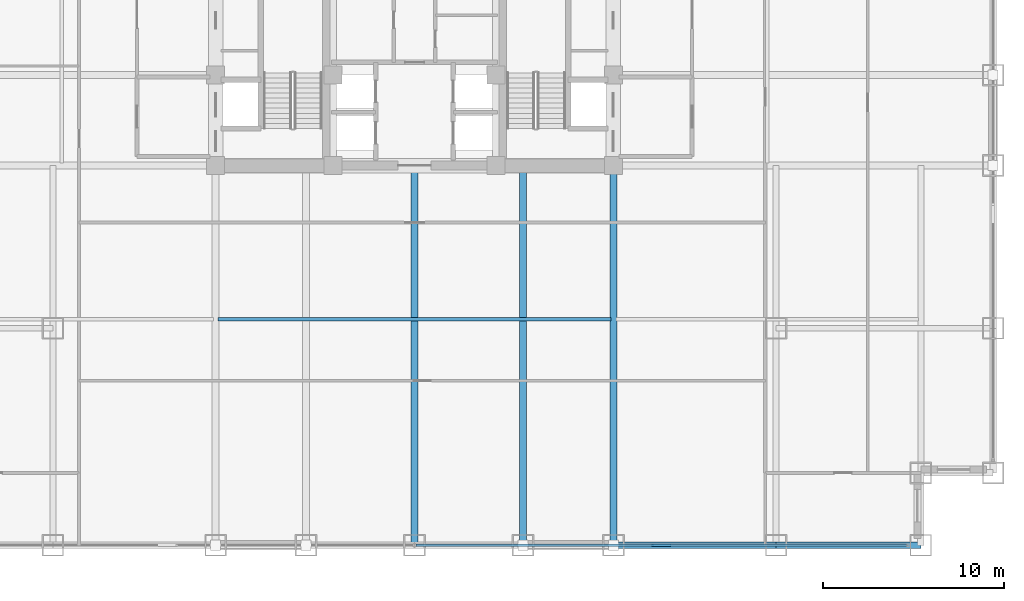
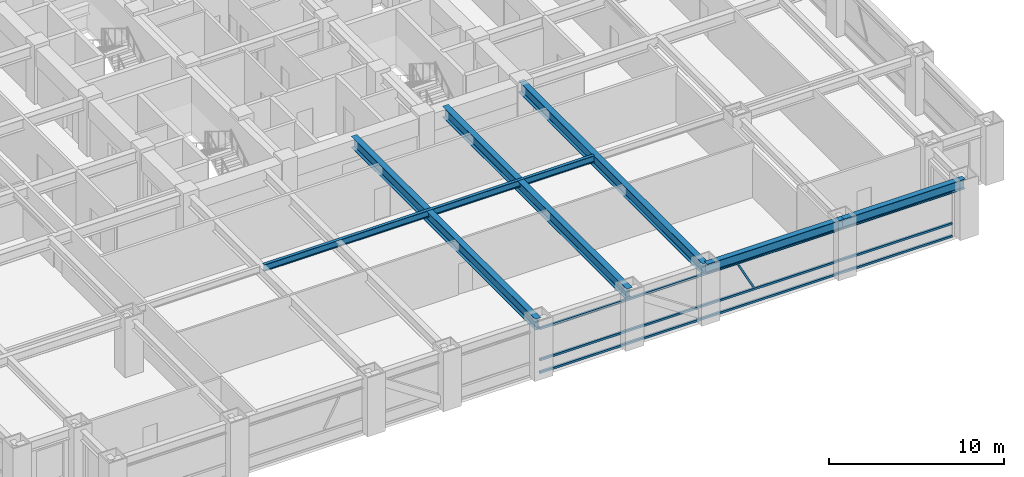
# One storey, part 5 of 28: 6 beams, 4 members, 1 element without a shape of its own.
"""IFC4 building model written with IfcOpenShell, lengths in metres."""

from ifc_helpers import new_model, si_unit, direction, frame, origin, origin_2d, place, context, subcontext, project, spatial, hollow_rectangle, i_section, extrude, source, transform, mapped, material, material_profile, profile_set, type_object, element, aggregate, save


model = new_model("IFC4")

# Units and contexts
model_context = context("Model", 3, precision=1e-05, world=origin(), true_north=direction((0.0, 1.0)))
body_context = subcontext(model_context, "Body", "Model", "MODEL_VIEW")
ifc_project = project(units=[si_unit("LENGTHUNIT", "METRE"), si_unit("AREAUNIT", "SQUARE_METRE"), si_unit("VOLUMEUNIT", "CUBIC_METRE"), si_unit("PLANEANGLEUNIT", "RADIAN"), si_unit("MASSUNIT", "GRAM", prefix="KILO")], contexts=[model_context])

# Site, building, storey
site_placement = place(None, origin())
site = spatial("IfcSite", under=ifc_project, at=site_placement, CompositionType="ELEMENT")
building_placement = place(site_placement, origin())
building = spatial("IfcBuilding", under=site, at=building_placement, Name="Khorayat Bourse Tower", CompositionType="ELEMENT")
storey_placement = place(building_placement, frame((0.0, 0.0, 120.10009765625)))
storey = spatial("IfcBuildingStorey", under=building, at=storey_placement, Name="L27", CompositionType="ELEMENT", Elevation=120.10009765625)

# Beams
ifc_material_1 = material(Name="Steel ASTM A992 Grade 50", Category="steel")
ifc_material_profile_1 = material_profile(ifc_material_1, i_section(OverallWidth=0.35498046875, OverallDepth=0.695068359375, WebThickness=0.015380859375, FlangeThickness=0.02490234375, FilletRadius=0.01806640625, at=origin_2d()), Name="W690X217")
ifc_profile_set_1 = profile_set([ifc_material_profile_1], Name="Steel ASTM A992 Grade 50")
beam_type_1 = type_object("IfcBeamType", Name="BM-SPAN-690", PredefinedType="SPANDREL", material=ifc_profile_set_1)
shared_shape_1 = source(origin(), body_context, "Body", "SweptSolid", [
    extrude(i_section(OverallWidth=0.35498046875, OverallDepth=0.695068359375, WebThickness=0.015380859375, FlangeThickness=0.02490234375, FilletRadius=0.01806640625, at=origin_2d()), origin(), (0.0, 0.0, 1.0), 9.0),
])
beam_1_placement = place(storey_placement, frame((11.0, -32.0, 3.492431640625), z_axis=(1.0, 0.0, 0.0), x_axis=(0.0, 1.0, 0.0)))
element("IfcBeam", 1, at=beam_1_placement, inside=storey, type_object=beam_type_1, Name="L27 BM-SPAN-690 BM-L27-SPN-030", PredefinedType="SPANDREL", context=body_context, shape_type="MappedRepresentation", body=[
    mapped(shared_shape_1, transform((0.0, 0.0, 0.0), scale=1.0)),
])
ifc_material_profile_2 = material_profile(ifc_material_1, i_section(OverallWidth=0.194091796875, OverallDepth=0.468994140625, WebThickness=0.0126953125, FlangeThickness=0.0205078125, FilletRadius=0.012939453125, at=origin_2d()), Name="W460X106")
ifc_profile_set_2 = profile_set([ifc_material_profile_2], Name="Steel ASTM A992 Grade 50")
beam_type_2 = type_object("IfcBeamType", Name="BM-JOIST-460", PredefinedType="JOIST", material=ifc_profile_set_2)
shared_shape_2 = source(origin(), body_context, "Body", "SweptSolid", [
    extrude(i_section(OverallWidth=0.194091796875, OverallDepth=0.468994140625, WebThickness=0.0126953125, FlangeThickness=0.0205078125, FilletRadius=0.012939453125, at=origin_2d()), origin(), (0.0, 0.0, 1.0), 21.740234375),
])
beam_2_placement = place(storey_placement, frame((-10.8701171875, -19.5, 3.60546875), z_axis=(1.0, 0.0, 0.0), x_axis=(0.0, 1.0, 0.0)))
element("IfcBeam", 2, at=beam_2_placement, inside=storey, type_object=beam_type_2, Name="L27 BM-JOIST-460 BM-L27-JSTX-097", PredefinedType="JOIST", context=body_context, shape_type="MappedRepresentation", body=[
    mapped(shared_shape_2, transform((0.0, 0.0, 0.0), scale=1.0)),
])
shared_shape_3 = source(origin(), body_context, "Body", "SweptSolid", [
    extrude(i_section(OverallWidth=0.35498046875, OverallDepth=0.695068359375, WebThickness=0.015380859375, FlangeThickness=0.02490234375, FilletRadius=0.01806640625, at=origin_2d()), origin(), (0.0, 0.0, 1.0), 8.0),
])
beam_3_placement = place(storey_placement, frame((20.0, -32.0, 3.492431640625), z_axis=(1.0, 0.0, 0.0), x_axis=(0.0, 1.0, 0.0)))
element("IfcBeam", 3, at=beam_3_placement, inside=storey, type_object=beam_type_1, Name="L27 BM-SPAN-690 BM-L27-SPN-031", PredefinedType="SPANDREL", context=body_context, shape_type="MappedRepresentation", body=[
    mapped(shared_shape_3, transform((0.0, 0.0, 0.0), scale=1.0)),
])
ifc_material_profile_3 = material_profile(ifc_material_1, i_section(OverallWidth=0.381103515625, OverallDepth=0.77294921875, WebThickness=0.0166015625, FlangeThickness=0.027587890625, FilletRadius=0.01806640625, at=origin_2d()), Name="W760X257")
ifc_profile_set_3 = profile_set([ifc_material_profile_3], Name="Steel ASTM A992 Grade 50")
beam_type_3 = type_object("IfcBeamType", Name="BM-GIRD-760", PredefinedType="BEAM", material=ifc_profile_set_3)
shared_shape_4 = source(origin(), body_context, "Body", "SweptSolid", [
    extrude(i_section(OverallWidth=0.381103515625, OverallDepth=0.77294921875, WebThickness=0.0166015625, FlangeThickness=0.027587890625, FilletRadius=0.01806640625, at=origin_2d()), origin(), (0.0, 0.0, 1.0), 21.0),
])
for number, where, z_axis, x_axis, name in (
    (4, (0.0, -32.0, 3.453369140625), (0.0, 1.0, 0.0), (-1.0, 0.0, 0.0), "L27 BM-GIRD-760 BM-L27-RADY-069"),
    (5, (6.0, -32.0, 3.453369140625), (0.0, 1.0, 0.0), (-1.0, 0.0, 0.0), "L27 BM-GIRD-760 BM-L27-RADY-071"),
    (6, (11.0, -32.0, 3.453369140625), (0.0, 1.0, 0.0), (-1.0, 0.0, 0.0), "L27 BM-GIRD-760 BM-L27-RADY-073"),
):
    element("IfcBeam", number, at=place(storey_placement, frame(where, z_axis=z_axis, x_axis=x_axis)), inside=storey, type_object=beam_type_3, Name=name, PredefinedType="BEAM", context=body_context, shape_type="MappedRepresentation", body=[
        mapped(shared_shape_4, transform((0.0, 0.0, 0.0), scale=1.0)),
    ])

# Curtain wall, members
ifc_material_2 = material(Name="Aluminium EN AW-6063 T6", Category="aluminium")
curtain_wall_type = type_object("IfcCurtainWallType", Name="CW-SYS-02", PredefinedType="NOTDEFINED", material=ifc_material_2)
curtain_wall_placement = place(storey_placement, origin())
curtain_wall = element("IfcCurtainWall", 7, at=curtain_wall_placement, inside=storey, type_object=curtain_wall_type, Name="L27 Curtain Wall CW-L27-S1", PredefinedType="NOTDEFINED")
ifc_material_profile_4 = material_profile(ifc_material_2, hollow_rectangle(XDim=0.139892578125, YDim=0.139892578125, WallThickness=0.006103515625, at=origin_2d()), Name="ALU 140x140x6")
ifc_profile_set_4 = profile_set([ifc_material_profile_4], Name="Aluminium EN AW-6063 T6")
member_type_1 = type_object("IfcMemberType", Name="CWT-HORZ-140", PredefinedType="USERDEFINED", material=ifc_profile_set_4)
shared_shape_5 = source(origin(), body_context, "Body", "SweptSolid", [
    extrude(hollow_rectangle(XDim=0.139892578125, YDim=0.139892578125, WallThickness=0.006103515625, at=origin_2d()), origin(), (0.0, 0.0, 1.0), 27.139892578125),
])
member_1_placement = place(storey_placement, frame((0.070068359375, -32.0, 0.06982421875), z_axis=(1.0, 0.0, 0.0), x_axis=(0.0, 1.0, 0.0)))
member_1 = element("IfcMember", 8, at=member_1_placement, type_object=member_type_1, Name="CW-L27-S1 Horizontal Transom 2-1", ObjectType="TRANSOM", PredefinedType="USERDEFINED", context=body_context, shape_type="MappedRepresentation", body=[
    mapped(shared_shape_5, transform((0.0, 0.0, 0.0), scale=1.0)),
])
member_2_placement = place(storey_placement, frame((0.070068359375, -32.0, 0.949951171875), z_axis=(1.0, 0.0, 0.0), x_axis=(0.0, 1.0, 0.0)))
member_2 = element("IfcMember", 9, at=member_2_placement, type_object=member_type_1, Name="CW-L27-S1 Horizontal Transom 2-2", ObjectType="TRANSOM", PredefinedType="USERDEFINED", context=body_context, shape_type="MappedRepresentation", body=[
    mapped(shared_shape_5, transform((0.0, 0.0, 0.0), scale=1.0)),
])
member_3_placement = place(storey_placement, frame((0.070068359375, -32.0, 3.119873046875), z_axis=(1.0, 0.0, 0.0), x_axis=(0.0, 1.0, 0.0)))
member_3 = element("IfcMember", 10, at=member_3_placement, type_object=member_type_1, Name="CW-L27-S1 Horizontal Transom 2-3", ObjectType="TRANSOM", PredefinedType="USERDEFINED", context=body_context, shape_type="MappedRepresentation", body=[
    mapped(shared_shape_5, transform((0.0, 0.0, 0.0), scale=1.0)),
])
ifc_material_profile_5 = material_profile(ifc_material_2, hollow_rectangle(XDim=0.1201171875, YDim=0.1201171875, WallThickness=0.0048828125, at=origin_2d()), Name="ALU 120x120x5")
ifc_profile_set_5 = profile_set([ifc_material_profile_5], Name="Aluminium EN AW-6063 T6")
member_type_2 = type_object("IfcMemberType", Name="CWM-DIAG-120", PredefinedType="MULLION", material=ifc_profile_set_5)
shared_shape_6 = source(origin(), body_context, "Body", "SweptSolid", [
    extrude(hollow_rectangle(XDim=0.1201171875, YDim=0.1201171875, WallThickness=0.0048828125, at=origin_2d()), origin(), (0.0, 0.0, 1.0), 2.11328125),
])
member_4_placement = place(storey_placement, frame((14.132080078125, -32.0, 1.099853515625), z_axis=(-0.465694055905, 0.0, 0.884945787207), x_axis=(0.0, -1.0, 0.0)))
member_4 = element("IfcMember", 11, at=member_4_placement, type_object=member_type_2, Name="CW-L27-S1 Faceted Diagonal Mullion 2", PredefinedType="MULLION", context=body_context, shape_type="MappedRepresentation", body=[
    mapped(shared_shape_6, transform((0.0, 0.0, 0.0), scale=1.0)),
])
aggregate(curtain_wall, [member_1, member_2, member_3, member_4])

save(model, "model.ifc")
